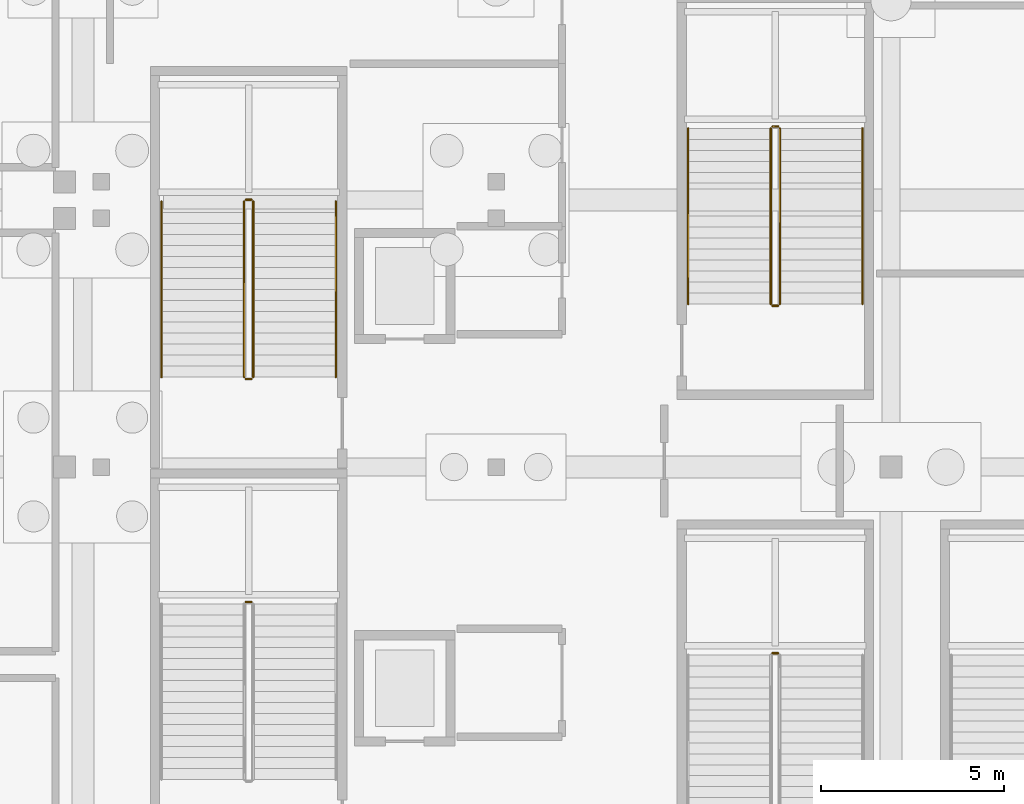
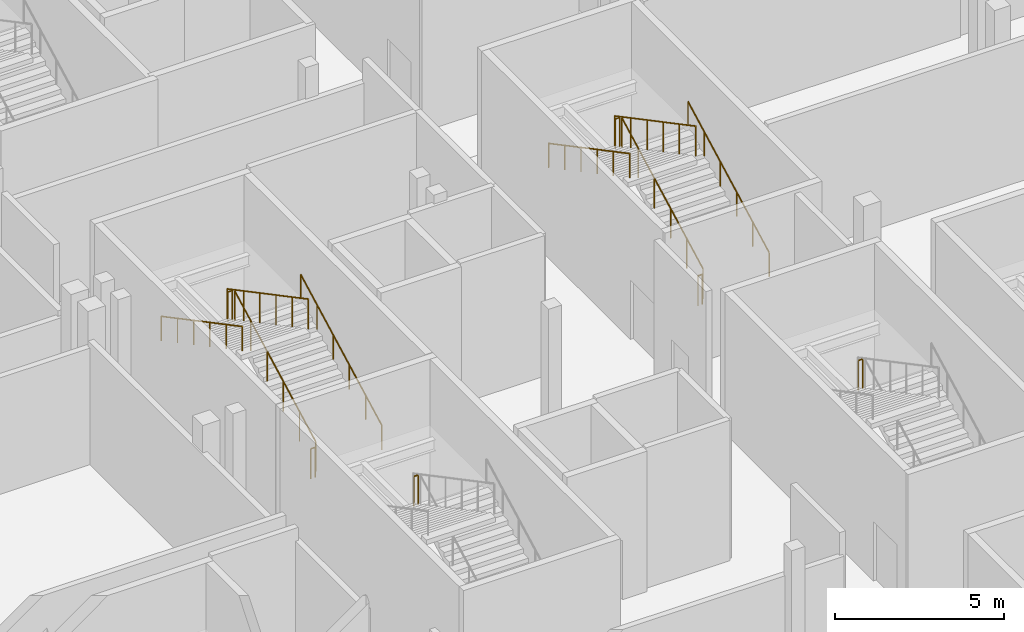
# One storey, part 65 of 89: 14 railings.
"""IFC4 building model written with IfcOpenShell, lengths in metres."""

import ifcopenshell
import ifcopenshell.guid

model = None  # the IFC model being written
_history = None  # IfcOwnerHistory: only IFC2X3 demands one
_inside = {}  # id of a spatial element -> (the spatial element, [elements in it])
_under = {}  # id of a project, library or spatial element -> (it, [spatial elements below it])
_declared = {}  # id of a project -> (the project, [libraries it declares])
_typed = {}  # id of a type object -> (the type object, [elements of that type])
_made_of = {}  # id of a material, layer set ... -> (it, [elements and type objects made of it])


def new_model(schema):
    """Start an empty IFC model of exactly this schema.

    Asked for "IFC4X3", IfcOpenShell would pick the latest addendum, in which some entities
    have other attributes; the version numbers below select the first issue.
    IFC2X3 requires an IfcOwnerHistory on every rooted entity: one is made here for all.
    """
    global model, _history
    if schema == "IFC4X3":
        model = ifcopenshell.file(schema_version=(4, 3, 0, 0))
    else:
        model = ifcopenshell.file(schema=schema)
    _inside.clear()
    _under.clear()
    _declared.clear()
    _typed.clear()
    _made_of.clear()
    _history = None
    if model.schema == "IFC2X3":
        org = make("IfcOrganization", Name="unknown")
        user = make(
            "IfcPersonAndOrganization",
            ThePerson=make("IfcPerson", FamilyName="unknown"),
            TheOrganization=org,
        )
        app = make(
            "IfcApplication",
            ApplicationDeveloper=org,
            Version="unknown",
            ApplicationFullName="unknown",
            ApplicationIdentifier="unknown",
        )
        _history = make(
            "IfcOwnerHistory",
            OwningUser=user,
            OwningApplication=app,
            ChangeAction="ADDED",
            CreationDate=0,
        )
    return model


def make(cls, **values):
    """One entity of the class cls with the attributes given. An attribute that is None is left unset."""
    return model.create_entity(
        cls, **{name: value for name, value in values.items() if value is not None}
    )


def rooted(cls, **values):
    """An entity with a GlobalId (a new one), such as an element, a storey or a relation."""
    return make(cls, GlobalId=ifcopenshell.guid.new(), OwnerHistory=_history, **values)


def si_unit(unit_type, name, prefix=None):
    """IfcSIUnit, for example si_unit("LENGTHUNIT", "METRE", prefix="MILLI")."""
    return make("IfcSIUnit", UnitType=unit_type, Prefix=prefix, Name=name)


def assignment(units):
    """IfcUnitAssignment: the units of a project."""
    return None if units is None else make("IfcUnitAssignment", Units=units)


def point(xyz):
    """IfcCartesianPoint."""
    return None if xyz is None else make("IfcCartesianPoint", Coordinates=xyz)


def direction(xyz):
    """IfcDirection."""
    return None if xyz is None else make("IfcDirection", DirectionRatios=xyz)


def frame(location, z_axis=None, x_axis=None):
    """IfcAxis2Placement3D, a coordinate frame: its origin and axes. An axis left out is left unset."""
    return make(
        "IfcAxis2Placement3D",
        Location=point(location),
        Axis=direction(z_axis),
        RefDirection=direction(x_axis),
    )


def frame_2d(location, x_axis=None):
    """IfcAxis2Placement2D, a coordinate frame in the plane: its origin and x axis."""
    return make(
        "IfcAxis2Placement2D", Location=point(location), RefDirection=direction(x_axis)
    )


def origin():
    """The frame at (0, 0, 0) with its axes left unset."""
    return frame((0.0, 0.0, 0.0))


def origin_2d():
    """The frame at (0, 0) in the plane with its x axis left unset."""
    return frame_2d((0.0, 0.0))


def place(relative_to, where):
    """IfcLocalPlacement: puts the frame where relative to a parent placement (None: the world)."""
    return make(
        "IfcLocalPlacement", PlacementRelTo=relative_to, RelativePlacement=where
    )


def context(
    kind, dimensions, precision=None, world=None, true_north=None, identifier=None
):
    """IfcGeometricRepresentationContext, for example the 3D "Model" context."""
    return make(
        "IfcGeometricRepresentationContext",
        ContextIdentifier=identifier,
        ContextType=kind,
        CoordinateSpaceDimension=dimensions,
        Precision=precision,
        WorldCoordinateSystem=world,
        TrueNorth=true_north,
    )


def subcontext(parent, identifier, kind, view, scale=None):
    """IfcGeometricRepresentationSubContext, for example "Body" below "Model"."""
    return make(
        "IfcGeometricRepresentationSubContext",
        ContextIdentifier=identifier,
        ContextType=kind,
        ParentContext=parent,
        TargetScale=scale,
        TargetView=view,
    )


def project(units=None, contexts=None):
    """IfcProject with its units and contexts."""
    return rooted(
        "IfcProject",
        Name="project",
        RepresentationContexts=contexts,
        UnitsInContext=assignment(units),
    )


def spatial(cls, under=None, at=None, **own):
    """A site, building, storey or space (cls), placed at a placement, below another one or the project."""
    s = rooted(cls, ObjectPlacement=at, **own)
    if under is not None:
        _under.setdefault(under.id(), (under, []))[1].append(s)
    return s


def profile(cls, at=None, kind="AREA", **sizes):
    """A parametric profile (cls). Its sizes go by their IFC names, for example OverallWidth=200.0."""
    return make(cls, ProfileType=kind, Position=at, **sizes)


def circle(**sizes):
    """IfcCircleProfileDef."""
    return profile("IfcCircleProfileDef", **sizes)


def extrude(swept, where, along, depth):
    """IfcExtrudedAreaSolid: the profile swept, set in the frame where, extruded along a direction by depth."""
    return make(
        "IfcExtrudedAreaSolid",
        SweptArea=swept,
        Position=where,
        ExtrudedDirection=direction(along),
        Depth=depth,
    )


def shape(context_of_items, identifier, shape_type, items):
    """IfcShapeRepresentation: the items that make up one representation, for example the "Body"."""
    return make(
        "IfcShapeRepresentation",
        ContextOfItems=context_of_items,
        RepresentationIdentifier=identifier,
        RepresentationType=shape_type,
        Items=items,
    )


def material(Name=None, Category=None):
    """IfcMaterial."""
    return make("IfcMaterial", Name=Name, Category=Category)


def made_of(thing, what):
    """Note that an element or type object is made of a material, layer set ...; save() writes the relation."""
    if what is not None:
        _made_of.setdefault(what.id(), (what, []))[1].append(thing)
    return thing


def type_object(cls, material=None, **own):
    """A type object (cls), such as IfcWallType, which elements share."""
    return made_of(rooted(cls, **own), material)


def element(
    cls,
    number,
    at=None,
    inside=None,
    cuts=None,
    type_object=None,
    material=None,
    context=None,
    identifier="Body",
    shape_type=None,
    held_by="IfcProductDefinitionShape",
    body=None,
    shapes=None,
    **own,
):
    """One element of the class cls, such as IfcWall. Its Tag is "e" and its number.

    at: its placement. inside: the storey or other place that contains it. cuts: it is an
    opening in that element (IfcRelVoidsElement). A single representation is given by context,
    identifier, shape_type and body (its items); several are given by shapes. held_by: the class
    of the entity that holds the representations. save() writes the other relations.
    """
    e = rooted(cls, Tag="e%d" % number, ObjectPlacement=at, **own)
    if body is not None:
        shapes = [shape(context, identifier, shape_type, body)]
    if shapes is not None:
        e.Representation = make(held_by, Representations=shapes)
    if inside is not None:
        _inside.setdefault(inside.id(), (inside, []))[1].append(e)
    if cuts is not None:
        rooted(
            "IfcRelVoidsElement", RelatingBuildingElement=cuts, RelatedOpeningElement=e
        )
    if type_object is not None:
        _typed.setdefault(type_object.id(), (type_object, []))[1].append(e)
    return made_of(e, material)


def aggregate(whole, parts):
    """IfcRelAggregates: a whole, such as a stair, and the parts it consists of."""
    return rooted("IfcRelAggregates", RelatingObject=whole, RelatedObjects=parts)


def save(model, path):
    """Write the relations noted so far, then the file.

    IfcRelAggregates (storeys below a building ...), IfcRelContainedInSpatialStructure (elements
    in a storey), IfcRelDefinesByType, IfcRelAssociatesMaterial and IfcRelDeclares: one each for
    every whole, place, type object, material and project.
    """
    for whole, parts in _under.values():
        aggregate(whole, parts)
    for where, things in _inside.values():
        rooted(
            "IfcRelContainedInSpatialStructure",
            RelatedElements=things,
            RelatingStructure=where,
        )
    for kind, things in _typed.values():
        rooted("IfcRelDefinesByType", RelatedObjects=things, RelatingType=kind)
    for what, things in _made_of.values():
        rooted("IfcRelAssociatesMaterial", RelatedObjects=things, RelatingMaterial=what)
    for by, libraries in _declared.values():
        rooted("IfcRelDeclares", RelatingContext=by, RelatedDefinitions=libraries)
    model.write(path)


model = new_model("IFC4")

# Units and contexts
model_context = context("Model", 3, precision=1e-05, world=origin(), true_north=direction((0.0, 1.0)))
body_context = subcontext(model_context, "Body", "Model", "MODEL_VIEW")
ifc_project = project(units=[si_unit("LENGTHUNIT", "METRE"), si_unit("AREAUNIT", "SQUARE_METRE"), si_unit("VOLUMEUNIT", "CUBIC_METRE"), si_unit("PLANEANGLEUNIT", "RADIAN"), si_unit("MASSUNIT", "GRAM", prefix="KILO")], contexts=[model_context])

# Site, building, storey
site_placement = place(None, origin())
site = spatial("IfcSite", under=ifc_project, at=site_placement, CompositionType="ELEMENT")
building_placement = place(site_placement, origin())
building = spatial("IfcBuilding", under=site, at=building_placement, Name="Koshinbarg Plaza Stadium", CompositionType="ELEMENT")
storey_placement = place(building_placement, origin())
storey = spatial("IfcBuildingStorey", under=building, at=storey_placement, Name="L00", CompositionType="ELEMENT", Elevation=0.0)

# Railings
ifc_material_1 = material(Name="Galvanized painted steel guardrail", Category="steel")
railing_type_1 = type_object("IfcRailingType", Name="RL-GUARD-1100", PredefinedType="GUARDRAIL", material=ifc_material_1)
railing_1_placement = place(storey_placement, frame((28.7099609375, 65.010009765625, 2.699951171875)))
element("IfcRailing", 1, at=railing_1_placement, inside=storey, type_object=railing_type_1, Name="L00 C03 stair guard 2", PredefinedType="GUARDRAIL", context=body_context, shape_type="SweptSolid", body=[
    extrude(circle(Radius=0.02392578125, at=origin_2d()), frame((0.0, 0.0, 1.076171875), z_axis=(-1.0, 0.0, 0.0), x_axis=(0.0, -1.0, 0.0)), (0.0, 0.0, 1.0), 0.14990234375),
    extrude(circle(Radius=0.02099609375, at=origin_2d()), origin(), (0.0, 0.0, 1.0), 1.052001953125),
    extrude(circle(Radius=0.02099609375, at=origin_2d()), frame((-0.14990234375, 0.0, 0.0)), (0.0, 0.0, 1.0), 1.052001953125),
])
railing_2_placement = place(storey_placement, frame((28.760009765625, 71.159912109375, 0.158935546875)))
element("IfcRailing", 2, at=railing_2_placement, inside=storey, type_object=railing_type_1, Name="L00 C04 stair guard 1", PredefinedType="GUARDRAIL", context=body_context, shape_type="SweptSolid", body=[
    extrude(circle(Radius=0.02392578125, at=origin_2d()), frame((0.0, 0.0, 1.076171875), z_axis=(0.0, 0.883802130504, 0.467860870469), x_axis=(-1.0, 0.0, 0.0)), (0.0, 0.0, 1.0), 5.43115234375),
    extrude(circle(Radius=0.02099609375, at=origin_2d()), origin(), (0.0, 0.0, 1.0), 1.052001953125),
    extrude(circle(Radius=0.02099609375, at=origin_2d()), frame((0.0, 0.9599609375, 0.50830078125)), (0.0, 0.0, 1.0), 1.052001953125),
    extrude(circle(Radius=0.02099609375, at=origin_2d()), frame((0.0, 1.919921875, 1.016357421875)), (0.0, 0.0, 1.0), 1.052001953125),
    extrude(circle(Radius=0.02099609375, at=origin_2d()), frame((0.0, 2.880126953125, 1.524658203125)), (0.0, 0.0, 1.0), 1.052001953125),
    extrude(circle(Radius=0.02099609375, at=origin_2d()), frame((0.0, 3.840087890625, 2.03271484375)), (0.0, 0.0, 1.0), 1.052001953125),
    extrude(circle(Radius=0.02099609375, at=origin_2d()), frame((0.0, 4.800048828125, 2.541015625)), (0.0, 0.0, 1.0), 1.052001953125),
])
railing_3_placement = place(storey_placement, frame((28.7099609375, 76.010009765625, 2.699951171875)))
element("IfcRailing", 3, at=railing_3_placement, inside=storey, type_object=railing_type_1, Name="L00 C04 stair guard 2", PredefinedType="GUARDRAIL", context=body_context, shape_type="SweptSolid", body=[
    extrude(circle(Radius=0.02392578125, at=origin_2d()), frame((0.0, 0.0, 1.076171875), z_axis=(-1.0, 0.0, 0.0), x_axis=(0.0, -1.0, 0.0)), (0.0, 0.0, 1.0), 0.14990234375),
    extrude(circle(Radius=0.02099609375, at=origin_2d()), origin(), (0.0, 0.0, 1.0), 1.052001953125),
    extrude(circle(Radius=0.02099609375, at=origin_2d()), frame((-0.14990234375, 0.0, 0.0)), (0.0, 0.0, 1.0), 1.052001953125),
])
railing_4_placement = place(storey_placement, frame((28.510009765625, 75.9599609375, 2.85888671875)))
element("IfcRailing", 4, at=railing_4_placement, inside=storey, type_object=railing_type_1, Name="L00 C04 stair guard 3", PredefinedType="GUARDRAIL", context=body_context, shape_type="SweptSolid", body=[
    extrude(circle(Radius=0.02392578125, at=origin_2d()), frame((0.0, 0.0, 1.076171875), z_axis=(0.0, -0.883802130504, 0.467860870469), x_axis=(1.0, 0.0, 0.0)), (0.0, 0.0, 1.0), 5.43115234375),
    extrude(circle(Radius=0.02099609375, at=origin_2d()), origin(), (0.0, 0.0, 1.0), 1.052001953125),
    extrude(circle(Radius=0.02099609375, at=origin_2d()), frame((0.0, -0.9599609375, 0.50830078125)), (0.0, 0.0, 1.0), 1.052001953125),
    extrude(circle(Radius=0.02099609375, at=origin_2d()), frame((0.0, -1.919921875, 1.016357421875)), (0.0, 0.0, 1.0), 1.052001953125),
    extrude(circle(Radius=0.02099609375, at=origin_2d()), frame((0.0, -2.880126953125, 1.524658203125)), (0.0, 0.0, 1.0), 1.052001953125),
    extrude(circle(Radius=0.02099609375, at=origin_2d()), frame((0.0, -3.840087890625, 2.03271484375)), (0.0, 0.0, 1.0), 1.052001953125),
    extrude(circle(Radius=0.02099609375, at=origin_2d()), frame((0.0, -4.800048828125, 2.541015625)), (0.0, 0.0, 1.0), 1.052001953125),
])
railing_5_placement = place(storey_placement, frame((28.7099609375, 71.110107421875, 0.0)))
element("IfcRailing", 5, at=railing_5_placement, inside=storey, type_object=railing_type_1, Name="L00 C04 stair guard 4", PredefinedType="GUARDRAIL", context=body_context, shape_type="SweptSolid", body=[
    extrude(circle(Radius=0.02392578125, at=origin_2d()), frame((0.0, 0.0, 1.076171875), z_axis=(-1.0, 0.0, 0.0), x_axis=(0.0, -1.0, 0.0)), (0.0, 0.0, 1.0), 0.14990234375),
    extrude(circle(Radius=0.02099609375, at=origin_2d()), origin(), (0.0, 0.0, 1.0), 1.052001953125),
    extrude(circle(Radius=0.02099609375, at=origin_2d()), frame((-0.14990234375, 0.0, 0.0)), (0.0, 0.0, 1.0), 1.052001953125),
])
railing_6_placement = place(storey_placement, frame((43.110107421875, 63.610107421875, 2.699951171875)))
element("IfcRailing", 6, at=railing_6_placement, inside=storey, type_object=railing_type_1, Name="L00 VX03 stair guard 2", PredefinedType="GUARDRAIL", context=body_context, shape_type="SweptSolid", body=[
    extrude(circle(Radius=0.02392578125, at=origin_2d()), frame((0.0, 0.0, 1.076171875), z_axis=(-1.0, 0.0, 0.0), x_axis=(0.0, -1.0, 0.0)), (0.0, 0.0, 1.0), 0.150146484375),
    extrude(circle(Radius=0.02099609375, at=origin_2d()), origin(), (0.0, 0.0, 1.0), 1.052001953125),
    extrude(circle(Radius=0.02099609375, at=origin_2d()), frame((-0.150146484375, 0.0, 0.0)), (0.0, 0.0, 1.0), 1.052001953125),
])
railing_7_placement = place(storey_placement, frame((43.159912109375, 73.159912109375, 0.158935546875)))
element("IfcRailing", 7, at=railing_7_placement, inside=storey, type_object=railing_type_1, Name="L00 VX04 stair guard 1", PredefinedType="GUARDRAIL", context=body_context, shape_type="SweptSolid", body=[
    extrude(circle(Radius=0.02392578125, at=origin_2d()), frame((0.0, 0.0, 1.076171875), z_axis=(0.0, 0.883802130504, 0.467860870469), x_axis=(-1.0, 0.0, 0.0)), (0.0, 0.0, 1.0), 5.43115234375),
    extrude(circle(Radius=0.02099609375, at=origin_2d()), origin(), (0.0, 0.0, 1.0), 1.052001953125),
    extrude(circle(Radius=0.02099609375, at=origin_2d()), frame((0.0, 0.9599609375, 0.50830078125)), (0.0, 0.0, 1.0), 1.052001953125),
    extrude(circle(Radius=0.02099609375, at=origin_2d()), frame((0.0, 1.919921875, 1.016357421875)), (0.0, 0.0, 1.0), 1.052001953125),
    extrude(circle(Radius=0.02099609375, at=origin_2d()), frame((0.0, 2.880126953125, 1.524658203125)), (0.0, 0.0, 1.0), 1.052001953125),
    extrude(circle(Radius=0.02099609375, at=origin_2d()), frame((0.0, 3.840087890625, 2.03271484375)), (0.0, 0.0, 1.0), 1.052001953125),
    extrude(circle(Radius=0.02099609375, at=origin_2d()), frame((0.0, 4.800048828125, 2.541015625)), (0.0, 0.0, 1.0), 1.052001953125),
])
railing_8_placement = place(storey_placement, frame((43.110107421875, 78.010009765625, 2.699951171875)))
element("IfcRailing", 8, at=railing_8_placement, inside=storey, type_object=railing_type_1, Name="L00 VX04 stair guard 2", PredefinedType="GUARDRAIL", context=body_context, shape_type="SweptSolid", body=[
    extrude(circle(Radius=0.02392578125, at=origin_2d()), frame((0.0, 0.0, 1.076171875), z_axis=(-1.0, 0.0, 0.0), x_axis=(0.0, -1.0, 0.0)), (0.0, 0.0, 1.0), 0.150146484375),
    extrude(circle(Radius=0.02099609375, at=origin_2d()), origin(), (0.0, 0.0, 1.0), 1.052001953125),
    extrude(circle(Radius=0.02099609375, at=origin_2d()), frame((-0.150146484375, 0.0, 0.0)), (0.0, 0.0, 1.0), 1.052001953125),
])
railing_9_placement = place(storey_placement, frame((42.909912109375, 77.9599609375, 2.85888671875)))
element("IfcRailing", 9, at=railing_9_placement, inside=storey, type_object=railing_type_1, Name="L00 VX04 stair guard 3", PredefinedType="GUARDRAIL", context=body_context, shape_type="SweptSolid", body=[
    extrude(circle(Radius=0.02392578125, at=origin_2d()), frame((0.0, 0.0, 1.076171875), z_axis=(0.0, -0.883802130504, 0.467860870469), x_axis=(1.0, 0.0, 0.0)), (0.0, 0.0, 1.0), 5.43115234375),
    extrude(circle(Radius=0.02099609375, at=origin_2d()), origin(), (0.0, 0.0, 1.0), 1.052001953125),
    extrude(circle(Radius=0.02099609375, at=origin_2d()), frame((0.0, -0.9599609375, 0.50830078125)), (0.0, 0.0, 1.0), 1.052001953125),
    extrude(circle(Radius=0.02099609375, at=origin_2d()), frame((0.0, -1.919921875, 1.016357421875)), (0.0, 0.0, 1.0), 1.052001953125),
    extrude(circle(Radius=0.02099609375, at=origin_2d()), frame((0.0, -2.880126953125, 1.524658203125)), (0.0, 0.0, 1.0), 1.052001953125),
    extrude(circle(Radius=0.02099609375, at=origin_2d()), frame((0.0, -3.840087890625, 2.03271484375)), (0.0, 0.0, 1.0), 1.052001953125),
    extrude(circle(Radius=0.02099609375, at=origin_2d()), frame((0.0, -4.800048828125, 2.541015625)), (0.0, 0.0, 1.0), 1.052001953125),
])
railing_10_placement = place(storey_placement, frame((43.110107421875, 73.110107421875, 0.0)))
element("IfcRailing", 10, at=railing_10_placement, inside=storey, type_object=railing_type_1, Name="L00 VX04 stair guard 4", PredefinedType="GUARDRAIL", context=body_context, shape_type="SweptSolid", body=[
    extrude(circle(Radius=0.02392578125, at=origin_2d()), frame((0.0, 0.0, 1.076171875), z_axis=(-1.0, 0.0, 0.0), x_axis=(0.0, -1.0, 0.0)), (0.0, 0.0, 1.0), 0.150146484375),
    extrude(circle(Radius=0.02099609375, at=origin_2d()), origin(), (0.0, 0.0, 1.0), 1.052001953125),
    extrude(circle(Radius=0.02099609375, at=origin_2d()), frame((-0.150146484375, 0.0, 0.0)), (0.0, 0.0, 1.0), 1.052001953125),
])
ifc_material_2 = material(Name="Brushed stainless steel handrail", Category="steel")
railing_type_2 = type_object("IfcRailingType", Name="RL-HAND-900", PredefinedType="HANDRAIL", material=ifc_material_2)
railing_11_placement = place(storey_placement, frame((31.02001953125, 71.159912109375, 0.158935546875)))
element("IfcRailing", 11, at=railing_11_placement, inside=storey, type_object=railing_type_2, Name="L00 C04 stair handrail 1", PredefinedType="HANDRAIL", context=body_context, shape_type="SweptSolid", body=[
    extrude(circle(Radius=0.02392578125, at=origin_2d()), frame((0.0, 0.0, 0.8759765625), z_axis=(0.0, 0.883802130504, 0.467860870469), x_axis=(-1.0, 0.0, 0.0)), (0.0, 0.0, 1.0), 5.43115234375),
    extrude(circle(Radius=0.02099609375, at=origin_2d()), origin(), (0.0, 0.0, 1.0), 0.851806640625),
    extrude(circle(Radius=0.02099609375, at=origin_2d()), frame((0.0, 0.9599609375, 0.50830078125)), (0.0, 0.0, 1.0), 0.851806640625),
    extrude(circle(Radius=0.02099609375, at=origin_2d()), frame((0.0, 1.919921875, 1.016357421875)), (0.0, 0.0, 1.0), 0.851806640625),
    extrude(circle(Radius=0.02099609375, at=origin_2d()), frame((0.0, 2.880126953125, 1.524658203125)), (0.0, 0.0, 1.0), 0.851806640625),
    extrude(circle(Radius=0.02099609375, at=origin_2d()), frame((0.0, 3.840087890625, 2.03271484375)), (0.0, 0.0, 1.0), 0.851806640625),
    extrude(circle(Radius=0.02099609375, at=origin_2d()), frame((0.0, 4.800048828125, 2.541015625)), (0.0, 0.0, 1.0), 0.851806640625),
])
railing_12_placement = place(storey_placement, frame((26.25, 75.9599609375, 2.85888671875)))
element("IfcRailing", 12, at=railing_12_placement, inside=storey, type_object=railing_type_2, Name="L00 C04 stair handrail 2", PredefinedType="HANDRAIL", context=body_context, shape_type="SweptSolid", body=[
    extrude(circle(Radius=0.02392578125, at=origin_2d()), frame((0.0, 0.0, 0.8759765625), z_axis=(0.0, -0.883802130504, 0.467860870469), x_axis=(1.0, 0.0, 0.0)), (0.0, 0.0, 1.0), 5.43115234375),
    extrude(circle(Radius=0.02099609375, at=origin_2d()), origin(), (0.0, 0.0, 1.0), 0.851806640625),
    extrude(circle(Radius=0.02099609375, at=origin_2d()), frame((0.0, -0.9599609375, 0.50830078125)), (0.0, 0.0, 1.0), 0.851806640625),
    extrude(circle(Radius=0.02099609375, at=origin_2d()), frame((0.0, -1.919921875, 1.016357421875)), (0.0, 0.0, 1.0), 0.851806640625),
    extrude(circle(Radius=0.02099609375, at=origin_2d()), frame((0.0, -2.880126953125, 1.524658203125)), (0.0, 0.0, 1.0), 0.851806640625),
    extrude(circle(Radius=0.02099609375, at=origin_2d()), frame((0.0, -3.840087890625, 2.03271484375)), (0.0, 0.0, 1.0), 0.851806640625),
    extrude(circle(Radius=0.02099609375, at=origin_2d()), frame((0.0, -4.800048828125, 2.541015625)), (0.0, 0.0, 1.0), 0.851806640625),
])
railing_13_placement = place(storey_placement, frame((45.419921875, 73.159912109375, 0.158935546875)))
element("IfcRailing", 13, at=railing_13_placement, inside=storey, type_object=railing_type_2, Name="L00 VX04 stair handrail 1", PredefinedType="HANDRAIL", context=body_context, shape_type="SweptSolid", body=[
    extrude(circle(Radius=0.02392578125, at=origin_2d()), frame((0.0, 0.0, 0.8759765625), z_axis=(0.0, 0.883802130504, 0.467860870469), x_axis=(-1.0, 0.0, 0.0)), (0.0, 0.0, 1.0), 5.43115234375),
    extrude(circle(Radius=0.02099609375, at=origin_2d()), origin(), (0.0, 0.0, 1.0), 0.851806640625),
    extrude(circle(Radius=0.02099609375, at=origin_2d()), frame((0.0, 0.9599609375, 0.50830078125)), (0.0, 0.0, 1.0), 0.851806640625),
    extrude(circle(Radius=0.02099609375, at=origin_2d()), frame((0.0, 1.919921875, 1.016357421875)), (0.0, 0.0, 1.0), 0.851806640625),
    extrude(circle(Radius=0.02099609375, at=origin_2d()), frame((0.0, 2.880126953125, 1.524658203125)), (0.0, 0.0, 1.0), 0.851806640625),
    extrude(circle(Radius=0.02099609375, at=origin_2d()), frame((0.0, 3.840087890625, 2.03271484375)), (0.0, 0.0, 1.0), 0.851806640625),
    extrude(circle(Radius=0.02099609375, at=origin_2d()), frame((0.0, 4.800048828125, 2.541015625)), (0.0, 0.0, 1.0), 0.851806640625),
])
railing_14_placement = place(storey_placement, frame((40.64990234375, 77.9599609375, 2.85888671875)))
element("IfcRailing", 14, at=railing_14_placement, inside=storey, type_object=railing_type_2, Name="L00 VX04 stair handrail 2", PredefinedType="HANDRAIL", context=body_context, shape_type="SweptSolid", body=[
    extrude(circle(Radius=0.02392578125, at=origin_2d()), frame((0.0, 0.0, 0.8759765625), z_axis=(0.0, -0.883802130504, 0.467860870469), x_axis=(1.0, 0.0, 0.0)), (0.0, 0.0, 1.0), 5.43115234375),
    extrude(circle(Radius=0.02099609375, at=origin_2d()), origin(), (0.0, 0.0, 1.0), 0.851806640625),
    extrude(circle(Radius=0.02099609375, at=origin_2d()), frame((0.0, -0.9599609375, 0.50830078125)), (0.0, 0.0, 1.0), 0.851806640625),
    extrude(circle(Radius=0.02099609375, at=origin_2d()), frame((0.0, -1.919921875, 1.016357421875)), (0.0, 0.0, 1.0), 0.851806640625),
    extrude(circle(Radius=0.02099609375, at=origin_2d()), frame((0.0, -2.880126953125, 1.524658203125)), (0.0, 0.0, 1.0), 0.851806640625),
    extrude(circle(Radius=0.02099609375, at=origin_2d()), frame((0.0, -3.840087890625, 2.03271484375)), (0.0, 0.0, 1.0), 0.851806640625),
    extrude(circle(Radius=0.02099609375, at=origin_2d()), frame((0.0, -4.800048828125, 2.541015625)), (0.0, 0.0, 1.0), 0.851806640625),
])

save(model, "model.ifc")
